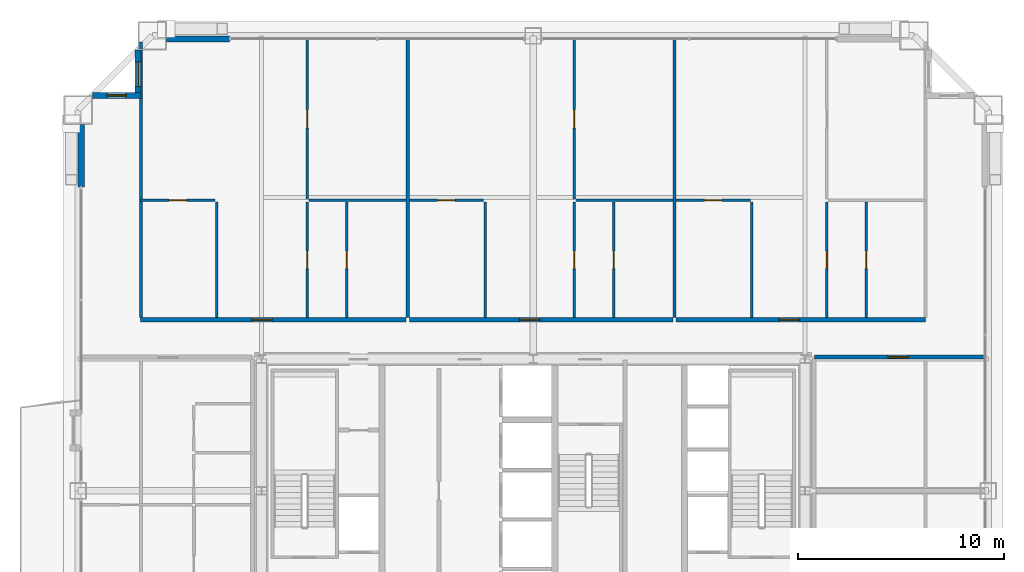
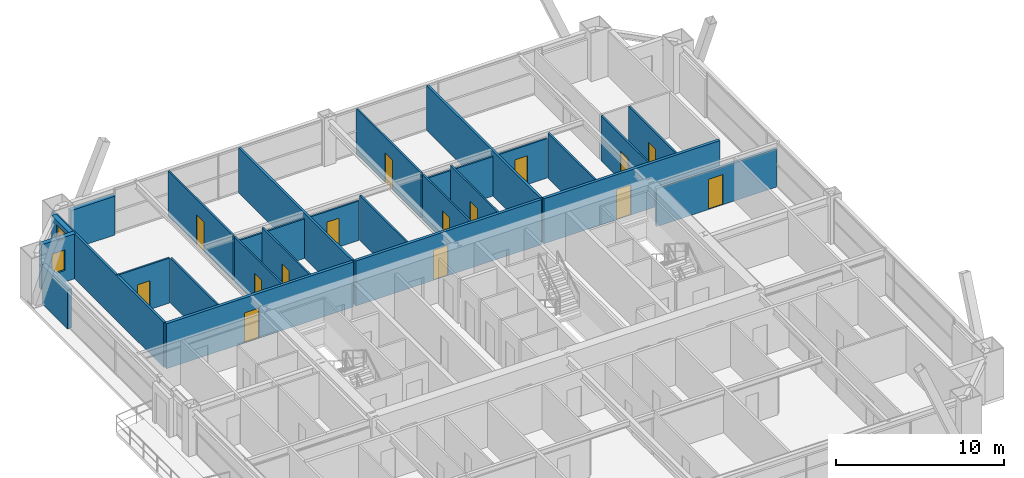
# One storey, part 40 of 42: 27 walls, 15 doors, 2 windows, 17 openings.
"""IFC4 building model written with IfcOpenShell, lengths in metres."""

from ifc_helpers import new_model, si_unit, direction, frame, frame_2d, origin, place, context, subcontext, project, spatial, rectangle, extrude, source, transform, mapped, material, layer, layer_set, type_object, element, fill, save


model = new_model("IFC4")

# Units and contexts
model_context = context("Model", 3, precision=1e-05, world=origin(), true_north=direction((0.0, 1.0)))
body_context = subcontext(model_context, "Body", "Model", "MODEL_VIEW")
ifc_project = project(units=[si_unit("LENGTHUNIT", "METRE"), si_unit("AREAUNIT", "SQUARE_METRE"), si_unit("VOLUMEUNIT", "CUBIC_METRE"), si_unit("PLANEANGLEUNIT", "RADIAN"), si_unit("MASSUNIT", "GRAM", prefix="KILO"), si_unit("THERMODYNAMICTEMPERATUREUNIT", "KELVIN"), si_unit("POWERUNIT", "WATT")], contexts=[model_context])

# Site, building, storey
site_placement = place(None, origin())
site = spatial("IfcSite", under=ifc_project, at=site_placement, CompositionType="ELEMENT")
building_placement = place(site_placement, origin())
building = spatial("IfcBuilding", under=site, at=building_placement, Name="Yuzanri Waterfront Tower", CompositionType="ELEMENT")
storey_placement = place(building_placement, frame((0.0, 0.0, 205.5)))
storey = spatial("IfcBuildingStorey", under=building, at=storey_placement, Name="L54", CompositionType="ELEMENT", Elevation=205.5)

# Wall, opening, door
ifc_material_1 = material(Name="Moisture-Resistant Gypsum Stud Wall", Category="gypsum")
ifc_layer_1 = layer(ifc_material_1, 0.1201171875)
ifc_layer_set_1 = layer_set([ifc_layer_1], Name="Moisture-Resistant Gypsum Stud Wall")
wall_type_1 = type_object("IfcWallType", Name="Bathroom and Kitchen Wet Partition 120", PredefinedType="PARTITIONING", material=ifc_layer_set_1)
wall_1_placement = place(storey_placement, frame((17.93994140625, 39.89990234375, 0.0), z_axis=(0.0, 0.0, 1.0), x_axis=(1.0, 0.0, 0.0)))
wall_1 = element("IfcWall", 1, at=wall_1_placement, inside=storey, type_object=wall_type_1, Name="L54 Partition UW-L54-RN1-SUB-1-N", PredefinedType="PARTITIONING", context=body_context, shape_type="SweptSolid", body=[
    extrude(rectangle(XDim=3.60009765625, YDim=0.1201171875, at=frame_2d((1.800048828125, 0.0))), origin(), (0.0, 0.0, 1.0), 3.280029296875),
])
opening_1_placement = place(wall_1_placement, frame((1.375, 0.0, 0.0)))
opening_1 = element("IfcOpeningElement", 2, at=opening_1_placement, cuts=wall_1, Name="Opening ID-0850", PredefinedType="OPENING", context=body_context, shape_type="SweptSolid", body=[
    extrude(rectangle(XDim=0.85009765625, YDim=2.10009765625, at=frame_2d((0.425048828125, 1.050048828125))), frame((0.0, 0.074951171875, 0.0), z_axis=(0.0, -1.0, 0.0), x_axis=(1.0, 0.0, 0.0)), (0.0, 0.0, 1.0), 0.14990234375),
])
ifc_material_2 = material(Name="Moisture-Resistant Lacquered Timber", Category="wood")
door_type_1 = type_object("IfcDoorType", Name="En-Suite Bathroom and Kitchen Swing Door 850x2100", OperationType="NOTDEFINED", PredefinedType="DOOR", material=ifc_material_2)
shared_shape_1 = source(origin(), body_context, "Body", "SweptSolid", [
    extrude(rectangle(XDim=0.85009765625, YDim=2.10009765625, at=frame_2d((0.425048828125, 1.050048828125))), frame((0.0, 0.02490234375, 0.0), z_axis=(0.0, -1.0, 0.0), x_axis=(1.0, 0.0, 0.0)), (0.0, 0.0, 1.0), 0.050048828125),
])
door_1_placement = place(opening_1_placement, origin())
door_1 = element("IfcDoor", 3, at=door_1_placement, inside=storey, type_object=door_type_1, Name="L54 Suite Interior Room Door", OperationType="SINGLE_SWING_RIGHT", OverallHeight=2.10009765625, OverallWidth=0.85009765625, PredefinedType="DOOR", context=body_context, shape_type="MappedRepresentation", body=[
    mapped(shared_shape_1, transform((0.0, 0.0, 0.0), scale=1.0)),
])
fill(opening_1, door_1)

wall_2_placement = place(storey_placement, frame((27.94091796875, 34.2099609375, 0.0), z_axis=(0.0, 0.0, 1.0), x_axis=(0.0, 1.0, 0.0)))
wall_2 = element("IfcWall", 4, at=wall_2_placement, inside=storey, type_object=wall_type_1, Name="L54 Partition UW-L54-RN1-SUB-2-W", PredefinedType="PARTITIONING", context=body_context, shape_type="SweptSolid", body=[
    extrude(rectangle(XDim=5.610107421875, YDim=0.1201171875, at=frame_2d((2.80517578125, 0.0))), origin(), (0.0, 0.0, 1.0), 3.280029296875),
])
opening_2_placement = place(wall_2_placement, frame((2.3798828125, 0.0, 0.0)))
opening_2 = element("IfcOpeningElement", 5, at=opening_2_placement, cuts=wall_2, Name="Opening ID-0850", PredefinedType="OPENING", context=body_context, shape_type="SweptSolid", body=[
    extrude(rectangle(XDim=0.85009765625, YDim=2.10009765625, at=frame_2d((0.425048828125, 1.050048828125))), frame((0.0, 0.074951171875, 0.0), z_axis=(0.0, -1.0, 0.0), x_axis=(1.0, 0.0, 0.0)), (0.0, 0.0, 1.0), 0.14990234375),
])
door_2_placement = place(opening_2_placement, origin())
door_2 = element("IfcDoor", 6, at=door_2_placement, inside=storey, type_object=door_type_1, Name="L54 Suite Interior Room Door", OperationType="SINGLE_SWING_LEFT", OverallHeight=2.10009765625, OverallWidth=0.85009765625, PredefinedType="DOOR", context=body_context, shape_type="MappedRepresentation", body=[
    mapped(shared_shape_1, transform((0.0, 0.0, 0.0), scale=1.0)),
])
fill(opening_2, door_2)

wall_3_placement = place(storey_placement, frame((26.029052734375, 39.97998046875, 0.0), z_axis=(0.0, 0.0, 1.0), x_axis=(0.0, 1.0, 0.0)))
wall_3 = element("IfcWall", 7, at=wall_3_placement, inside=storey, type_object=wall_type_1, Name="L54 Partition UW-L54-RN1-SUB-3-W", PredefinedType="PARTITIONING", context=body_context, shape_type="SweptSolid", body=[
    extrude(rectangle(XDim=7.77001953125, YDim=0.1201171875, at=frame_2d((3.885009765625, 0.0))), origin(), (0.0, 0.0, 1.0), 3.280029296875),
])
opening_3_placement = place(wall_3_placement, frame((3.43505859375, 0.0, 0.0)))
opening_3 = element("IfcOpeningElement", 8, at=opening_3_placement, cuts=wall_3, Name="Opening ID-0900", PredefinedType="OPENING", context=body_context, shape_type="SweptSolid", body=[
    extrude(rectangle(XDim=0.89990234375, YDim=2.14990234375, at=frame_2d((0.449951171875, 1.074951171875))), frame((0.0, 0.074951171875, 0.0), z_axis=(0.0, -1.0, 0.0), x_axis=(1.0, 0.0, 0.0)), (0.0, 0.0, 1.0), 0.14990234375),
])
ifc_material_3 = material(Name="Stained Walnut Veneer Timber", Category="wood")
door_type_2 = type_object("IfcDoorType", Name="Bedroom and Study Interior Swing Door 900x2150", OperationType="NOTDEFINED", PredefinedType="DOOR", material=ifc_material_3)
shared_shape_2 = source(origin(), body_context, "Body", "SweptSolid", [
    extrude(rectangle(XDim=0.89990234375, YDim=2.14990234375, at=frame_2d((0.449951171875, 1.074951171875))), frame((0.0, 0.02490234375, 0.0), z_axis=(0.0, -1.0, 0.0), x_axis=(1.0, 0.0, 0.0)), (0.0, 0.0, 1.0), 0.050048828125),
])
door_3_placement = place(opening_3_placement, origin())
door_3 = element("IfcDoor", 9, at=door_3_placement, inside=storey, type_object=door_type_2, Name="L54 Suite Interior Room Door", OperationType="SINGLE_SWING_RIGHT", OverallHeight=2.14990234375, OverallWidth=0.89990234375, PredefinedType="DOOR", context=body_context, shape_type="MappedRepresentation", body=[
    mapped(shared_shape_2, transform((0.0, 0.0, 0.0), scale=1.0)),
])
fill(opening_3, door_3)

wall_4_placement = place(storey_placement, frame((26.029052734375, 34.2099609375, 0.0), z_axis=(0.0, 0.0, 1.0), x_axis=(0.0, 1.0, 0.0)))
wall_4 = element("IfcWall", 10, at=wall_4_placement, inside=storey, type_object=wall_type_1, Name="L54 Partition UW-L54-RN1-SUB-4-W", PredefinedType="PARTITIONING", context=body_context, shape_type="SweptSolid", body=[
    extrude(rectangle(XDim=5.610107421875, YDim=0.1201171875, at=frame_2d((2.80517578125, 0.0))), origin(), (0.0, 0.0, 1.0), 3.280029296875),
])
opening_4_placement = place(wall_4_placement, frame((2.3798828125, 0.0, 0.0)))
opening_4 = element("IfcOpeningElement", 11, at=opening_4_placement, cuts=wall_4, Name="Opening ID-0850", PredefinedType="OPENING", context=body_context, shape_type="SweptSolid", body=[
    extrude(rectangle(XDim=0.85009765625, YDim=2.10009765625, at=frame_2d((0.425048828125, 1.050048828125))), frame((0.0, 0.074951171875, 0.0), z_axis=(0.0, -1.0, 0.0), x_axis=(1.0, 0.0, 0.0)), (0.0, 0.0, 1.0), 0.14990234375),
])
door_4_placement = place(opening_4_placement, origin())
door_4 = element("IfcDoor", 12, at=door_4_placement, inside=storey, type_object=door_type_1, Name="L54 Suite Interior Room Door", OperationType="SINGLE_SWING_LEFT", OverallHeight=2.10009765625, OverallWidth=0.85009765625, PredefinedType="DOOR", context=body_context, shape_type="MappedRepresentation", body=[
    mapped(shared_shape_1, transform((0.0, 0.0, 0.0), scale=1.0)),
])
fill(opening_4, door_4)

wall_5_placement = place(storey_placement, frame((30.98095703125, 39.89990234375, 0.0), z_axis=(0.0, 0.0, 1.0), x_axis=(1.0, 0.0, 0.0)))
wall_5 = element("IfcWall", 13, at=wall_5_placement, inside=storey, type_object=wall_type_1, Name="L54 Partition UW-L54-RN2-SUB-1-N", PredefinedType="PARTITIONING", context=body_context, shape_type="SweptSolid", body=[
    extrude(rectangle(XDim=3.60009765625, YDim=0.1201171875, at=frame_2d((1.800048828125, 0.0))), origin(), (0.0, 0.0, 1.0), 2.875),
])
opening_5_placement = place(wall_5_placement, frame((1.375, 0.0, 0.0)))
opening_5 = element("IfcOpeningElement", 14, at=opening_5_placement, cuts=wall_5, Name="Opening ID-0850", PredefinedType="OPENING", context=body_context, shape_type="SweptSolid", body=[
    extrude(rectangle(XDim=0.85009765625, YDim=2.10009765625, at=frame_2d((0.425048828125, 1.050048828125))), frame((0.0, 0.074951171875, 0.0), z_axis=(0.0, -1.0, 0.0), x_axis=(1.0, 0.0, 0.0)), (0.0, 0.0, 1.0), 0.14990234375),
])
door_5_placement = place(opening_5_placement, origin())
door_5 = element("IfcDoor", 15, at=door_5_placement, inside=storey, type_object=door_type_1, Name="L54 Suite Interior Room Door", OperationType="SINGLE_SWING_LEFT", OverallHeight=2.10009765625, OverallWidth=0.85009765625, PredefinedType="DOOR", context=body_context, shape_type="MappedRepresentation", body=[
    mapped(shared_shape_1, transform((0.0, 0.0, 0.0), scale=1.0)),
])
fill(opening_5, door_5)

wall_6_placement = place(storey_placement, frame((40.902099609375, 34.2099609375, 0.0), z_axis=(0.0, 0.0, 1.0), x_axis=(0.0, 1.0, 0.0)))
wall_6 = element("IfcWall", 16, at=wall_6_placement, inside=storey, type_object=wall_type_1, Name="L54 Partition UW-L54-RN2-SUB-2-W", PredefinedType="PARTITIONING", context=body_context, shape_type="SweptSolid", body=[
    extrude(rectangle(XDim=5.610107421875, YDim=0.1201171875, at=frame_2d((2.80517578125, 0.0))), origin(), (0.0, 0.0, 1.0), 3.280029296875),
])
opening_6_placement = place(wall_6_placement, frame((2.3798828125, 0.0, 0.0)))
opening_6 = element("IfcOpeningElement", 17, at=opening_6_placement, cuts=wall_6, Name="Opening ID-0850", PredefinedType="OPENING", context=body_context, shape_type="SweptSolid", body=[
    extrude(rectangle(XDim=0.85009765625, YDim=2.10009765625, at=frame_2d((0.425048828125, 1.050048828125))), frame((0.0, 0.074951171875, 0.0), z_axis=(0.0, -1.0, 0.0), x_axis=(1.0, 0.0, 0.0)), (0.0, 0.0, 1.0), 0.14990234375),
])
door_6_placement = place(opening_6_placement, origin())
door_6 = element("IfcDoor", 18, at=door_6_placement, inside=storey, type_object=door_type_1, Name="L54 Suite Interior Room Door", OperationType="SINGLE_SWING_RIGHT", OverallHeight=2.10009765625, OverallWidth=0.85009765625, PredefinedType="DOOR", context=body_context, shape_type="MappedRepresentation", body=[
    mapped(shared_shape_1, transform((0.0, 0.0, 0.0), scale=1.0)),
])
fill(opening_6, door_6)

wall_7_placement = place(storey_placement, frame((38.989990234375, 39.97998046875, 0.0), z_axis=(0.0, 0.0, 1.0), x_axis=(0.0, 1.0, 0.0)))
wall_7 = element("IfcWall", 19, at=wall_7_placement, inside=storey, type_object=wall_type_1, Name="L54 Partition UW-L54-RN2-SUB-3-W", PredefinedType="PARTITIONING", context=body_context, shape_type="SweptSolid", body=[
    extrude(rectangle(XDim=7.77001953125, YDim=0.1201171875, at=frame_2d((3.885009765625, 0.0))), origin(), (0.0, 0.0, 1.0), 3.280029296875),
])
opening_7_placement = place(wall_7_placement, frame((3.43505859375, 0.0, 0.0)))
opening_7 = element("IfcOpeningElement", 20, at=opening_7_placement, cuts=wall_7, Name="Opening ID-0900", PredefinedType="OPENING", context=body_context, shape_type="SweptSolid", body=[
    extrude(rectangle(XDim=0.89990234375, YDim=2.14990234375, at=frame_2d((0.449951171875, 1.074951171875))), frame((0.0, 0.074951171875, 0.0), z_axis=(0.0, -1.0, 0.0), x_axis=(1.0, 0.0, 0.0)), (0.0, 0.0, 1.0), 0.14990234375),
])
door_7_placement = place(opening_7_placement, origin())
door_7 = element("IfcDoor", 21, at=door_7_placement, inside=storey, type_object=door_type_2, Name="L54 Suite Interior Room Door", OperationType="SINGLE_SWING_LEFT", OverallHeight=2.14990234375, OverallWidth=0.89990234375, PredefinedType="DOOR", context=body_context, shape_type="MappedRepresentation", body=[
    mapped(shared_shape_2, transform((0.0, 0.0, 0.0), scale=1.0)),
])
fill(opening_7, door_7)

wall_8_placement = place(storey_placement, frame((38.989990234375, 34.2099609375, 0.0), z_axis=(0.0, 0.0, 1.0), x_axis=(0.0, 1.0, 0.0)))
wall_8 = element("IfcWall", 22, at=wall_8_placement, inside=storey, type_object=wall_type_1, Name="L54 Partition UW-L54-RN2-SUB-4-W", PredefinedType="PARTITIONING", context=body_context, shape_type="SweptSolid", body=[
    extrude(rectangle(XDim=5.610107421875, YDim=0.1201171875, at=frame_2d((2.80517578125, 0.0))), origin(), (0.0, 0.0, 1.0), 3.280029296875),
])
opening_8_placement = place(wall_8_placement, frame((2.3798828125, 0.0, 0.0)))
opening_8 = element("IfcOpeningElement", 23, at=opening_8_placement, cuts=wall_8, Name="Opening ID-0850", PredefinedType="OPENING", context=body_context, shape_type="SweptSolid", body=[
    extrude(rectangle(XDim=0.85009765625, YDim=2.10009765625, at=frame_2d((0.425048828125, 1.050048828125))), frame((0.0, 0.074951171875, 0.0), z_axis=(0.0, -1.0, 0.0), x_axis=(1.0, 0.0, 0.0)), (0.0, 0.0, 1.0), 0.14990234375),
])
door_8_placement = place(opening_8_placement, origin())
door_8 = element("IfcDoor", 24, at=door_8_placement, inside=storey, type_object=door_type_1, Name="L54 Suite Interior Room Door", OperationType="SINGLE_SWING_RIGHT", OverallHeight=2.10009765625, OverallWidth=0.85009765625, PredefinedType="DOOR", context=body_context, shape_type="MappedRepresentation", body=[
    mapped(shared_shape_1, transform((0.0, 0.0, 0.0), scale=1.0)),
])
fill(opening_8, door_8)

wall_9_placement = place(storey_placement, frame((43.94189453125, 39.89990234375, 0.0), z_axis=(0.0, 0.0, 1.0), x_axis=(1.0, 0.0, 0.0)))
wall_9 = element("IfcWall", 25, at=wall_9_placement, inside=storey, type_object=wall_type_1, Name="L54 Partition UW-L54-RN3-SUB-1-N", PredefinedType="PARTITIONING", context=body_context, shape_type="SweptSolid", body=[
    extrude(rectangle(XDim=3.60009765625, YDim=0.1201171875, at=frame_2d((1.800048828125, 0.0))), origin(), (0.0, 0.0, 1.0), 2.875),
])
opening_9_placement = place(wall_9_placement, frame((1.375, 0.0, 0.0)))
opening_9 = element("IfcOpeningElement", 26, at=opening_9_placement, cuts=wall_9, Name="Opening ID-0850", PredefinedType="OPENING", context=body_context, shape_type="SweptSolid", body=[
    extrude(rectangle(XDim=0.85009765625, YDim=2.10009765625, at=frame_2d((0.425048828125, 1.050048828125))), frame((0.0, 0.074951171875, 0.0), z_axis=(0.0, -1.0, 0.0), x_axis=(1.0, 0.0, 0.0)), (0.0, 0.0, 1.0), 0.14990234375),
])
door_9_placement = place(opening_9_placement, origin())
door_9 = element("IfcDoor", 27, at=door_9_placement, inside=storey, type_object=door_type_1, Name="L54 Suite Interior Room Door", OperationType="SINGLE_SWING_RIGHT", OverallHeight=2.10009765625, OverallWidth=0.85009765625, PredefinedType="DOOR", context=body_context, shape_type="MappedRepresentation", body=[
    mapped(shared_shape_1, transform((0.0, 0.0, 0.0), scale=1.0)),
])
fill(opening_9, door_9)

wall_10_placement = place(storey_placement, frame((53.179931640625, 34.2099609375, 0.0), z_axis=(0.0, 0.0, 1.0), x_axis=(0.0, 1.0, 0.0)))
wall_10 = element("IfcWall", 28, at=wall_10_placement, inside=storey, type_object=wall_type_1, Name="L54 Partition UW-L54-RN3-SUB-2-W", PredefinedType="PARTITIONING", context=body_context, shape_type="SweptSolid", body=[
    extrude(rectangle(XDim=5.610107421875, YDim=0.1201171875, at=frame_2d((2.80517578125, 0.0))), origin(), (0.0, 0.0, 1.0), 3.280029296875),
])
opening_10_placement = place(wall_10_placement, frame((2.3798828125, 0.0, 0.0)))
opening_10 = element("IfcOpeningElement", 29, at=opening_10_placement, cuts=wall_10, Name="Opening ID-0850", PredefinedType="OPENING", context=body_context, shape_type="SweptSolid", body=[
    extrude(rectangle(XDim=0.85009765625, YDim=2.10009765625, at=frame_2d((0.425048828125, 1.050048828125))), frame((0.0, 0.074951171875, 0.0), z_axis=(0.0, -1.0, 0.0), x_axis=(1.0, 0.0, 0.0)), (0.0, 0.0, 1.0), 0.14990234375),
])
door_10_placement = place(opening_10_placement, origin())
door_10 = element("IfcDoor", 30, at=door_10_placement, inside=storey, type_object=door_type_1, Name="L54 Suite Interior Room Door", OperationType="SINGLE_SWING_LEFT", OverallHeight=2.10009765625, OverallWidth=0.85009765625, PredefinedType="DOOR", context=body_context, shape_type="MappedRepresentation", body=[
    mapped(shared_shape_1, transform((0.0, 0.0, 0.0), scale=1.0)),
])
fill(opening_10, door_10)

wall_11_placement = place(storey_placement, frame((51.26806640625, 34.2099609375, 0.0), z_axis=(0.0, 0.0, 1.0), x_axis=(0.0, 1.0, 0.0)))
wall_11 = element("IfcWall", 31, at=wall_11_placement, inside=storey, type_object=wall_type_1, Name="L54 Partition UW-L54-RN3-SUB-4-W", PredefinedType="PARTITIONING", context=body_context, shape_type="SweptSolid", body=[
    extrude(rectangle(XDim=5.610107421875, YDim=0.1201171875, at=frame_2d((2.80517578125, 0.0))), origin(), (0.0, 0.0, 1.0), 3.280029296875),
])
opening_11_placement = place(wall_11_placement, frame((2.3798828125, 0.0, 0.0)))
opening_11 = element("IfcOpeningElement", 32, at=opening_11_placement, cuts=wall_11, Name="Opening ID-0850", PredefinedType="OPENING", context=body_context, shape_type="SweptSolid", body=[
    extrude(rectangle(XDim=0.85009765625, YDim=2.10009765625, at=frame_2d((0.425048828125, 1.050048828125))), frame((0.0, 0.074951171875, 0.0), z_axis=(0.0, -1.0, 0.0), x_axis=(1.0, 0.0, 0.0)), (0.0, 0.0, 1.0), 0.14990234375),
])
door_11_placement = place(opening_11_placement, origin())
door_11 = element("IfcDoor", 33, at=door_11_placement, inside=storey, type_object=door_type_1, Name="L54 Suite Interior Room Door", OperationType="SINGLE_SWING_LEFT", OverallHeight=2.10009765625, OverallWidth=0.85009765625, PredefinedType="DOOR", context=body_context, shape_type="MappedRepresentation", body=[
    mapped(shared_shape_1, transform((0.0, 0.0, 0.0), scale=1.0)),
])
fill(opening_11, door_11)

# Wall, opening, window
ifc_material_4 = material(Name="Honed Chongqing Dark Basalt Stone", Category="masonry")
ifc_layer_2 = layer(ifc_material_4, 0.300048828125)
ifc_layer_set_2 = layer_set([ifc_layer_2], Name="Honed Chongqing Dark Basalt Stone")
wall_type_2 = type_object("IfcWallType", Name="Bronze Rainscreen Insulated Spandrel Portal Wall 300", PredefinedType="SOLIDWALL", material=ifc_layer_set_2)
wall_12_placement = place(storey_placement, frame((17.949951171875, 45.0, 0.0), z_axis=(0.0, 0.0, 1.0), x_axis=(-1.0, 0.0, 0.0)))
wall_12 = element("IfcWall", 34, at=wall_12_placement, inside=storey, type_object=wall_type_2, Name="L54 Notched Corner Masonry Wall NW-X", PredefinedType="SOLIDWALL", context=body_context, shape_type="SweptSolid", body=[
    extrude(rectangle(XDim=2.349853515625, YDim=0.300048828125, at=frame_2d((1.1748046875, 0.0))), origin(), (0.0, 0.0, 1.0), 3.280029296875),
])
opening_12_placement = place(wall_12_placement, frame((0.72509765625, 0.0, 0.85009765625)))
opening_12 = element("IfcOpeningElement", 35, at=opening_12_placement, cuts=wall_12, Name="Opening WN-05", PredefinedType="OPENING", context=body_context, shape_type="SweptSolid", body=[
    extrude(rectangle(XDim=0.89990234375, YDim=1.5, at=frame_2d((0.449951171875, 0.75))), frame((0.0, 0.1650390625, 0.0), z_axis=(0.0, -1.0, 0.0), x_axis=(1.0, 0.0, 0.0)), (0.0, 0.0, 1.0), 0.329833984375),
])
ifc_material_5 = material(Name="Double-Silver Low-E Insulated Glass", Category="glass")
window_type_1 = type_object("IfcWindowType", Name="Anodized Bronze Service and Stairwell Smoke-Vent Window 900x1500", PartitioningType="SINGLE_PANEL", PredefinedType="WINDOW", material=ifc_material_5)
shared_shape_3 = source(origin(), body_context, "Body", "SweptSolid", [
    extrude(rectangle(XDim=0.89990234375, YDim=1.5, at=frame_2d((0.449951171875, 0.75))), frame((0.0, 0.030029296875, 0.0), z_axis=(0.0, -1.0, 0.0), x_axis=(1.0, 0.0, 0.0)), (0.0, 0.0, 1.0), 0.06005859375),
])
window_1_placement = place(opening_12_placement, origin())
window_1 = element("IfcWindow", 36, at=window_1_placement, inside=storey, type_object=window_type_1, Name="L54 Notched Corner Window NW-X", OverallHeight=1.5, OverallWidth=0.89990234375, PartitioningType="SINGLE_PANEL", PredefinedType="WINDOW", context=body_context, shape_type="MappedRepresentation", body=[
    mapped(shared_shape_3, transform((0.0, 0.0, 0.0), scale=1.0)),
])
fill(opening_12, window_1)

wall_13_placement = place(storey_placement, frame((17.800048828125, 47.199951171875, 0.0), z_axis=(0.0, 0.0, 1.0), x_axis=(0.0, -1.0, 0.0)))
wall_13 = element("IfcWall", 37, at=wall_13_placement, inside=storey, type_object=wall_type_2, Name="L54 Notched Corner Masonry Wall NW-Y", PredefinedType="SOLIDWALL", context=body_context, shape_type="SweptSolid", body=[
    extrude(rectangle(XDim=2.349853515625, YDim=0.300048828125, at=frame_2d((1.1748046875, 0.0))), origin(), (0.0, 0.0, 1.0), 3.280029296875),
])
opening_13_placement = place(wall_13_placement, frame((0.574951171875, 0.0, 0.85009765625)))
opening_13 = element("IfcOpeningElement", 38, at=opening_13_placement, cuts=wall_13, Name="Opening WN-02", PredefinedType="OPENING", context=body_context, shape_type="SweptSolid", body=[
    extrude(rectangle(XDim=1.199951171875, YDim=2.10009765625, at=frame_2d((0.60009765625, 1.050048828125))), frame((0.0, 0.1650390625, 0.0), z_axis=(0.0, -1.0, 0.0), x_axis=(1.0, 0.0, 0.0)), (0.0, 0.0, 1.0), 0.329833984375),
])
ifc_material_6 = material(Name="Double-Silver Low-E Insulated Glass", Category="glass")
window_type_2 = type_object("IfcWindowType", Name="Anodized Bronze Notched Corner Deep-Set Slot Window 1200x2100", PartitioningType="SINGLE_PANEL", PredefinedType="WINDOW", material=ifc_material_6)
shared_shape_4 = source(origin(), body_context, "Body", "SweptSolid", [
    extrude(rectangle(XDim=1.199951171875, YDim=2.10009765625, at=frame_2d((0.60009765625, 1.050048828125))), frame((0.0, 0.030029296875, 0.0), z_axis=(0.0, -1.0, 0.0), x_axis=(1.0, 0.0, 0.0)), (0.0, 0.0, 1.0), 0.06005859375),
])
window_2_placement = place(opening_13_placement, origin())
window_2 = element("IfcWindow", 39, at=window_2_placement, inside=storey, type_object=window_type_2, Name="L54 Notched Corner Window NW-Y", OverallHeight=2.10009765625, OverallWidth=1.199951171875, PartitioningType="SINGLE_PANEL", PredefinedType="WINDOW", context=body_context, shape_type="MappedRepresentation", body=[
    mapped(shared_shape_4, transform((0.0, 0.0, 0.0), scale=1.0)),
])
fill(opening_13, window_2)

# Wall, opening, door
ifc_material_7 = material(Name="Autoclaved Aerated Concrete Blockwork", Category="masonry")
ifc_layer_3 = layer(ifc_material_7, 0.199951171875)
ifc_layer_set_3 = layer_set([ifc_layer_3], Name="Autoclaved Aerated Concrete Blockwork")
wall_type_3 = type_object("IfcWallType", Name="Corridor and Unit Party Fire Wall 200", PredefinedType="PARTITIONING", material=ifc_layer_set_3)
wall_14_placement = place(storey_placement, frame((17.93994140625, 34.110107421875, 0.0), z_axis=(0.0, 0.0, 1.0), x_axis=(1.0, 0.0, 0.0)))
wall_14 = element("IfcWall", 40, at=wall_14_placement, inside=storey, type_object=wall_type_3, Name="L54 Partition UW-L54-RN1-CS", PredefinedType="PARTITIONING", context=body_context, shape_type="SweptSolid", body=[
    extrude(rectangle(XDim=12.881103515625, YDim=0.199951171875, at=frame_2d((6.4404296875, 0.0))), origin(), (0.0, 0.0, 1.0), 3.280029296875),
])
opening_14_placement = place(wall_14_placement, frame((5.385009765625, 0.0, 0.0)))
opening_14 = element("IfcOpeningElement", 41, at=opening_14_placement, cuts=wall_14, Name="Opening FD-1000", PredefinedType="OPENING", context=body_context, shape_type="SweptSolid", body=[
    extrude(rectangle(XDim=1.0, YDim=2.199951171875, at=frame_2d((0.5, 1.10009765625))), frame((0.0, 0.11474609375, 0.0), z_axis=(0.0, -1.0, 0.0), x_axis=(1.0, 0.0, 0.0)), (0.0, 0.0, 1.0), 0.229736328125),
])
ifc_material_8 = material(Name="Engineered Oak Fire-Rated Timber", Category="wood")
door_type_3 = type_object("IfcDoorType", Name="Guestroom and Apartment Entrance Fire Door 1000x2200", OperationType="NOTDEFINED", PredefinedType="DOOR", material=ifc_material_8)
shared_shape_5 = source(origin(), body_context, "Body", "SweptSolid", [
    extrude(rectangle(XDim=1.0, YDim=2.199951171875, at=frame_2d((0.5, 1.10009765625))), frame((0.0, 0.02490234375, 0.0), z_axis=(0.0, -1.0, 0.0), x_axis=(1.0, 0.0, 0.0)), (0.0, 0.0, 1.0), 0.050048828125),
])
door_12_placement = place(opening_14_placement, origin())
door_12 = element("IfcDoor", 42, at=door_12_placement, inside=storey, type_object=door_type_3, Name="L54 Apartment Living Room Entrance Door", OperationType="SINGLE_SWING_LEFT", OverallHeight=2.199951171875, OverallWidth=1.0, PredefinedType="DOOR", context=body_context, shape_type="MappedRepresentation", body=[
    mapped(shared_shape_5, transform((0.0, 0.0, 0.0), scale=1.0)),
])
fill(opening_14, door_12)

wall_15_placement = place(storey_placement, frame((30.98095703125, 34.110107421875, 0.0), z_axis=(0.0, 0.0, 1.0), x_axis=(1.0, 0.0, 0.0)))
wall_15 = element("IfcWall", 43, at=wall_15_placement, inside=storey, type_object=wall_type_3, Name="L54 Partition UW-L54-RN2-CS", PredefinedType="PARTITIONING", context=body_context, shape_type="SweptSolid", body=[
    extrude(rectangle(XDim=12.801025390625, YDim=0.199951171875, at=frame_2d((6.400390625, 0.0))), origin(), (0.0, 0.0, 1.0), 3.280029296875),
])
opening_15_placement = place(wall_15_placement, frame((5.343994140625, 0.0, 0.0)))
opening_15 = element("IfcOpeningElement", 44, at=opening_15_placement, cuts=wall_15, Name="Opening FD-1000", PredefinedType="OPENING", context=body_context, shape_type="SweptSolid", body=[
    extrude(rectangle(XDim=1.0, YDim=2.199951171875, at=frame_2d((0.5, 1.10009765625))), frame((0.0, 0.11474609375, 0.0), z_axis=(0.0, -1.0, 0.0), x_axis=(1.0, 0.0, 0.0)), (0.0, 0.0, 1.0), 0.229736328125),
])
door_13_placement = place(opening_15_placement, origin())
door_13 = element("IfcDoor", 45, at=door_13_placement, inside=storey, type_object=door_type_3, Name="L54 Apartment Living Room Entrance Door", OperationType="SINGLE_SWING_RIGHT", OverallHeight=2.199951171875, OverallWidth=1.0, PredefinedType="DOOR", context=body_context, shape_type="MappedRepresentation", body=[
    mapped(shared_shape_5, transform((0.0, 0.0, 0.0), scale=1.0)),
])
fill(opening_15, door_13)

wall_16_placement = place(storey_placement, frame((43.94189453125, 34.110107421875, 0.0), z_axis=(0.0, 0.0, 1.0), x_axis=(1.0, 0.0, 0.0)))
wall_16 = element("IfcWall", 46, at=wall_16_placement, inside=storey, type_object=wall_type_3, Name="L54 Partition UW-L54-RN3-CS", PredefinedType="PARTITIONING", context=body_context, shape_type="SweptSolid", body=[
    extrude(rectangle(XDim=12.1181640625, YDim=0.199951171875, at=frame_2d((6.05908203125, 0.0))), origin(), (0.0, 0.0, 1.0), 3.280029296875),
])
opening_16_placement = place(wall_16_placement, frame((5.0029296875, 0.0, 0.0)))
opening_16 = element("IfcOpeningElement", 47, at=opening_16_placement, cuts=wall_16, Name="Opening FD-1000", PredefinedType="OPENING", context=body_context, shape_type="SweptSolid", body=[
    extrude(rectangle(XDim=1.0, YDim=2.199951171875, at=frame_2d((0.5, 1.10009765625))), frame((0.0, 0.11474609375, 0.0), z_axis=(0.0, -1.0, 0.0), x_axis=(1.0, 0.0, 0.0)), (0.0, 0.0, 1.0), 0.229736328125),
])
door_14_placement = place(opening_16_placement, origin())
door_14 = element("IfcDoor", 48, at=door_14_placement, inside=storey, type_object=door_type_3, Name="L54 Apartment Living Room Entrance Door", OperationType="SINGLE_SWING_LEFT", OverallHeight=2.199951171875, OverallWidth=1.0, PredefinedType="DOOR", context=body_context, shape_type="MappedRepresentation", body=[
    mapped(shared_shape_5, transform((0.0, 0.0, 0.0), scale=1.0)),
])
fill(opening_16, door_14)

wall_17_placement = place(storey_placement, frame((50.64990234375, 32.2900390625, 0.0), z_axis=(0.0, 0.0, 1.0), x_axis=(1.0, 0.0, 0.0)))
wall_17 = element("IfcWall", 49, at=wall_17_placement, inside=storey, type_object=wall_type_3, Name="L54 Partition UW-L54-051-CN", PredefinedType="PARTITIONING", context=body_context, shape_type="SweptSolid", body=[
    extrude(rectangle(XDim=8.300048828125, YDim=0.199951171875, at=frame_2d((4.14990234375, 0.0))), origin(), (0.0, 0.0, 1.0), 2.77490234375),
])
opening_17_placement = place(wall_17_placement, frame((3.5849609375, 0.0, 0.0)))
opening_17 = element("IfcOpeningElement", 50, at=opening_17_placement, cuts=wall_17, Name="Opening FD-1000", PredefinedType="OPENING", context=body_context, shape_type="SweptSolid", body=[
    extrude(rectangle(XDim=1.0, YDim=2.199951171875, at=frame_2d((0.5, 1.10009765625))), frame((0.0, 0.11474609375, 0.0), z_axis=(0.0, -1.0, 0.0), x_axis=(1.0, 0.0, 0.0)), (0.0, 0.0, 1.0), 0.229736328125),
])
door_15_placement = place(opening_17_placement, origin())
door_15 = element("IfcDoor", 51, at=door_15_placement, inside=storey, type_object=door_type_3, Name="L54 Residents E Executive Office 2 Entrance Door", OperationType="SINGLE_SWING_RIGHT", OverallHeight=2.199951171875, OverallWidth=1.0, PredefinedType="DOOR", context=body_context, shape_type="MappedRepresentation", body=[
    mapped(shared_shape_5, transform((0.0, 0.0, 0.0), scale=1.0)),
])
fill(opening_17, door_15)

# Walls
shared_shape_6 = source(origin(), body_context, "Body", "SweptSolid", [
    extrude(rectangle(XDim=3.050048828125, YDim=0.300048828125, at=frame_2d((1.52490234375, 0.0))), origin(), (0.0, 0.0, 1.0), 2.8349609375),
])
for number, where, z_axis, x_axis, name in (
    (52, (19.199951171875, 47.75, 0.0), (0.0, 0.0, 1.0), (1.0, 0.0, 0.0), "L54 N Left Braced Masonry Shoulder"),
    (53, (15.050048828125, 40.550048828125, 0.0), (0.0, 0.0, 1.0), (0.0, 1.0, 0.0), "L54 W Right Braced Masonry Shoulder"),
):
    element("IfcWall", number, at=place(storey_placement, frame(where, z_axis=z_axis, x_axis=x_axis)), inside=storey, type_object=wall_type_2, Name=name, PredefinedType="SOLIDWALL", context=body_context, shape_type="MappedRepresentation", body=[
        mapped(shared_shape_6, transform((0.0, 0.0, 0.0), scale=1.0)),
    ])
ifc_material_9 = material(Name="Gypsum Fireboard Acoustic Stud Wall", Category="gypsum")
ifc_layer_4 = layer(ifc_material_9, 0.159912109375)
ifc_layer_set_4 = layer_set([ifc_layer_4], Name="Gypsum Fireboard Acoustic Stud Wall")
wall_type_4 = type_object("IfcWallType", Name="Acoustic Suite Demising Partition 160", PredefinedType="PARTITIONING", material=ifc_layer_set_4)
shared_shape_7 = source(origin(), body_context, "Body", "SweptSolid", [
    extrude(rectangle(XDim=13.5400390625, YDim=0.159912109375, at=frame_2d((6.77001953125, 0.0))), origin(), (0.0, 0.0, 1.0), 3.280029296875),
])
for number, where, z_axis, x_axis, name in (
    (54, (30.90087890625, 34.2099609375, 0.0), (0.0, 0.0, 1.0), (0.0, 1.0, 0.0), "L54-RN1 Party Wall"),
    (55, (43.862060546875, 34.2099609375, 0.0), (0.0, 0.0, 1.0), (0.0, 1.0, 0.0), "L54-RN2 Party Wall"),
):
    element("IfcWall", number, at=place(storey_placement, frame(where, z_axis=z_axis, x_axis=x_axis)), inside=storey, type_object=wall_type_4, Name=name, PredefinedType="PARTITIONING", context=body_context, shape_type="MappedRepresentation", body=[
        mapped(shared_shape_7, transform((0.0, 0.0, 0.0), scale=1.0)),
    ])
shared_shape_8 = source(origin(), body_context, "Body", "SweptSolid", [
    extrude(rectangle(XDim=13.39013671875, YDim=0.159912109375, at=frame_2d((6.695068359375, 0.0))), origin(), (0.0, 0.0, 1.0), 3.280029296875),
])
wall_18_placement = place(storey_placement, frame((17.949951171875, 34.2099609375, 0.0), z_axis=(0.0, 0.0, 1.0), x_axis=(0.0, 1.0, 0.0)))
element("IfcWall", 56, at=wall_18_placement, inside=storey, type_object=wall_type_4, Name="L54 North Band West End Wall", PredefinedType="PARTITIONING", context=body_context, shape_type="MappedRepresentation", body=[
    mapped(shared_shape_8, transform((0.0, 0.0, 0.0), scale=1.0)),
])
shared_shape_9 = source(origin(), body_context, "Body", "SweptSolid", [
    extrude(rectangle(XDim=5.610107421875, YDim=0.1201171875, at=frame_2d((2.80517578125, 0.0))), origin(), (0.0, 0.0, 1.0), 3.280029296875),
])
for number, where, z_axis, x_axis, name in (
    (57, (21.6201171875, 34.2099609375, 0.0), (0.0, 0.0, 1.0), (0.0, 1.0, 0.0), "L54 Partition UW-L54-RN1-SUB-1-E"),
    (58, (34.660888671875, 34.2099609375, 0.0), (0.0, 0.0, 1.0), (0.0, 1.0, 0.0), "L54 Partition UW-L54-RN2-SUB-1-E"),
    (59, (47.6220703125, 34.2099609375, 0.0), (0.0, 0.0, 1.0), (0.0, 1.0, 0.0), "L54 Partition UW-L54-RN3-SUB-1-E"),
):
    element("IfcWall", number, at=place(storey_placement, frame(where, z_axis=z_axis, x_axis=x_axis)), inside=storey, type_object=wall_type_1, Name=name, PredefinedType="PARTITIONING", context=body_context, shape_type="MappedRepresentation", body=[
        mapped(shared_shape_9, transform((0.0, 0.0, 0.0), scale=1.0)),
    ])
shared_shape_10 = source(origin(), body_context, "Body", "SweptSolid", [
    extrude(rectangle(XDim=4.7119140625, YDim=0.1201171875, at=frame_2d((2.35595703125, 0.0))), origin(), (0.0, 0.0, 1.0), 2.875),
])
wall_19_placement = place(storey_placement, frame((39.070068359375, 39.89990234375, 0.0), z_axis=(0.0, 0.0, 1.0), x_axis=(1.0, 0.0, 0.0)))
element("IfcWall", 60, at=wall_19_placement, inside=storey, type_object=wall_type_1, Name="L54 Partition UW-L54-RN2-SUB-3-S", PredefinedType="PARTITIONING", context=body_context, shape_type="MappedRepresentation", body=[
    mapped(shared_shape_10, transform((0.0, 0.0, 0.0), scale=1.0)),
])
shared_shape_11 = source(origin(), body_context, "Body", "SweptSolid", [
    extrude(rectangle(XDim=4.712158203125, YDim=0.1201171875, at=frame_2d((2.35595703125, 0.0))), origin(), (0.0, 0.0, 1.0), 2.875),
])
wall_20_placement = place(storey_placement, frame((26.10888671875, 39.89990234375, 0.0), z_axis=(0.0, 0.0, 1.0), x_axis=(1.0, 0.0, 0.0)))
element("IfcWall", 61, at=wall_20_placement, inside=storey, type_object=wall_type_1, Name="L54 Partition UW-L54-RN1-SUB-3-S", PredefinedType="PARTITIONING", context=body_context, shape_type="MappedRepresentation", body=[
    mapped(shared_shape_11, transform((0.0, 0.0, 0.0), scale=1.0)),
])

save(model, "model.ifc")
